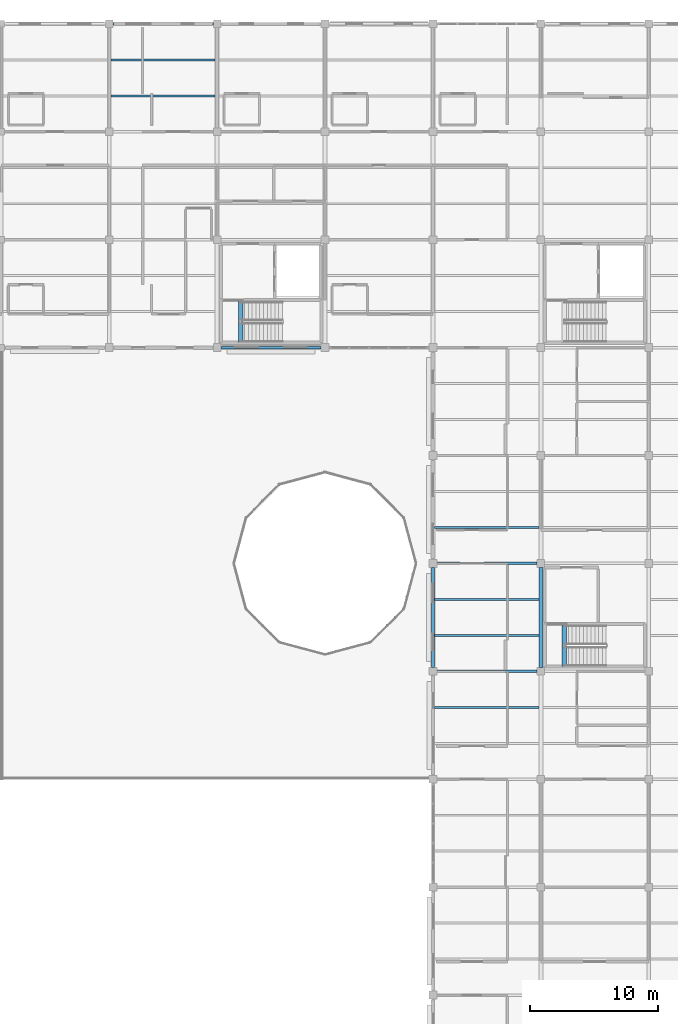
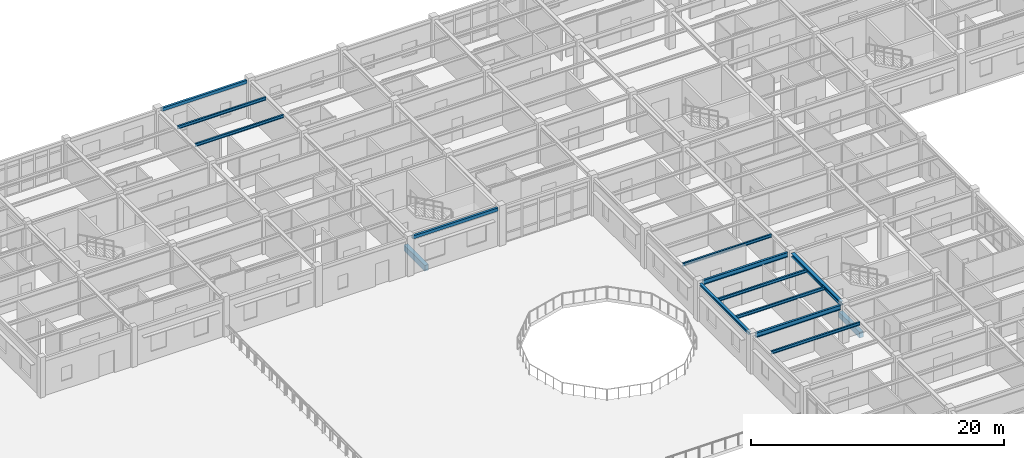
# One storey, part 16 of 86: 14 beams.
"""IFC4 building model written with IfcOpenShell, lengths in metres."""

from ifc_helpers import new_model, si_unit, direction, frame, origin, origin_2d, place, context, subcontext, project, spatial, rectangle, hollow_rectangle, i_section, extrude, material, material_profile, profile_set, type_object, element, save


model = new_model("IFC4")

# Units and contexts
model_context = context("Model", 3, precision=1e-05, world=origin(), true_north=direction((0.0, 1.0)))
body_context = subcontext(model_context, "Body", "Model", "MODEL_VIEW")
ifc_project = project(units=[si_unit("LENGTHUNIT", "METRE"), si_unit("AREAUNIT", "SQUARE_METRE"), si_unit("VOLUMEUNIT", "CUBIC_METRE"), si_unit("PLANEANGLEUNIT", "RADIAN"), si_unit("MASSUNIT", "GRAM", prefix="KILO")], contexts=[model_context])

# Site, building, storey
site_placement = place(None, origin())
site = spatial("IfcSite", under=ifc_project, at=site_placement, CompositionType="ELEMENT")
building_placement = place(site_placement, origin())
building = spatial("IfcBuilding", under=site, at=building_placement, Name="Bramfleet General Hospital", CompositionType="ELEMENT")
storey_placement = place(building_placement, frame((0.0, 0.0, 18.60009765625)))
storey = spatial("IfcBuildingStorey", under=building, at=storey_placement, Name="L04", CompositionType="ELEMENT", Elevation=18.60009765625)

# Beams
ifc_material_1 = material(Name="Steel S355", Category="steel")
ifc_material_profile_1 = material_profile(ifc_material_1, i_section(OverallWidth=0.239990234375, OverallDepth=0.22998046875, WebThickness=0.007568359375, FlangeThickness=0.011962890625, FilletRadius=0.02099609375, at=origin_2d()), Name="HEA 240")
ifc_profile_set_1 = profile_set([ifc_material_profile_1], Name="Steel S355")
beam_type_1 = type_object("IfcBeamType", Name="BM-HEA240", PredefinedType="SPANDREL", material=ifc_profile_set_1)
beam_1_placement = place(storey_placement, frame((92.39990234375, 67.5, 3.5048828125), z_axis=(0.0, 1.0, 0.0), x_axis=(-1.0, 0.0, 0.0)))
element("IfcBeam", 1, at=beam_1_placement, inside=storey, type_object=beam_type_1, Name="L04 Grid Beam Y 11-08", PredefinedType="SPANDREL", context=body_context, shape_type="SweptSolid", body=[
    extrude(i_section(OverallWidth=0.239990234375, OverallDepth=0.22998046875, WebThickness=0.007568359375, FlangeThickness=0.011962890625, FilletRadius=0.02099609375, at=origin_2d()), origin(), (0.0, 0.0, 1.0), 7.800048828125),
])
ifc_material_profile_2 = material_profile(ifc_material_1, i_section(OverallWidth=0.300048828125, OverallDepth=0.35009765625, WebThickness=0.010009765625, FlangeThickness=0.017578125, FilletRadius=0.027099609375, at=origin_2d()), Name="HEA 360")
ifc_profile_set_2 = profile_set([ifc_material_profile_2], Name="Steel S355")
beam_type_2 = type_object("IfcBeamType", Name="BM-HEA360", PredefinedType="BEAM", material=ifc_profile_set_2)
beam_2_placement = place(storey_placement, frame((100.800048828125, 67.5, 3.44482421875), z_axis=(0.0, 1.0, 0.0), x_axis=(-1.0, 0.0, 0.0)))
element("IfcBeam", 2, at=beam_2_placement, inside=storey, type_object=beam_type_2, Name="L04 Grid Beam Y 12-08", PredefinedType="BEAM", context=body_context, shape_type="SweptSolid", body=[
    extrude(i_section(OverallWidth=0.300048828125, OverallDepth=0.35009765625, WebThickness=0.010009765625, FlangeThickness=0.017578125, FilletRadius=0.027099609375, at=origin_2d()), origin(), (0.0, 0.0, 1.0), 7.800048828125),
])
ifc_material_profile_3 = material_profile(ifc_material_1, i_section(OverallWidth=0.14990234375, OverallDepth=0.300048828125, WebThickness=0.007080078125, FlangeThickness=0.0107421875, FilletRadius=0.014892578125, at=origin_2d()), Name="IPE 300")
ifc_profile_set_3 = profile_set([ifc_material_profile_3], Name="Steel S355")
beam_type_3 = type_object("IfcBeamType", Name="BM-IPE300", PredefinedType="JOIST", material=ifc_profile_set_3)
for number, where, z_axis, x_axis, name in (
    (3, (67.35009765625, 112.0, 3.469970703125), (1.0, 0.0, 0.0), (0.0, 1.0, 0.0), "L04 Secondary Joist 08-13-1"),
    (4, (67.35009765625, 114.800048828125, 3.469970703125), (1.0, 0.0, 0.0), (0.0, 1.0, 0.0), "L04 Secondary Joist 08-13-2"),
):
    element("IfcBeam", number, at=place(storey_placement, frame(where, z_axis=z_axis, x_axis=x_axis)), inside=storey, type_object=beam_type_3, Name=name, PredefinedType="JOIST", context=body_context, shape_type="SweptSolid", body=[
        extrude(i_section(OverallWidth=0.14990234375, OverallDepth=0.300048828125, WebThickness=0.007080078125, FlangeThickness=0.0107421875, FilletRadius=0.014892578125, at=origin_2d()), origin(), (0.0, 0.0, 1.0), 8.099853515625),
    ])
for number, where, z_axis, x_axis, name in (
    (5, (92.52001953125, 64.39990234375, 3.469970703125), (1.0, 0.0, 0.0), (0.0, 1.0, 0.0), "L04 Secondary Joist 11-07-2"),
    (6, (92.52001953125, 70.0, 3.469970703125), (1.0, 0.0, 0.0), (0.0, 1.0, 0.0), "L04 Secondary Joist 11-08-1"),
    (7, (92.52001953125, 72.800048828125, 3.469970703125), (1.0, 0.0, 0.0), (0.0, 1.0, 0.0), "L04 Secondary Joist 11-08-2"),
    (8, (92.52001953125, 78.39990234375, 3.469970703125), (1.0, 0.0, 0.0), (0.0, 1.0, 0.0), "L04 Secondary Joist 11-09-1"),
):
    element("IfcBeam", number, at=place(storey_placement, frame(where, z_axis=z_axis, x_axis=x_axis)), inside=storey, type_object=beam_type_3, Name=name, PredefinedType="JOIST", context=body_context, shape_type="SweptSolid", body=[
        extrude(i_section(OverallWidth=0.14990234375, OverallDepth=0.300048828125, WebThickness=0.007080078125, FlangeThickness=0.0107421875, FilletRadius=0.014892578125, at=origin_2d()), origin(), (0.0, 0.0, 1.0), 8.1298828125),
    ])
ifc_material_profile_4 = material_profile(ifc_material_1, i_section(OverallWidth=0.18994140625, OverallDepth=0.449951171875, WebThickness=0.009521484375, FlangeThickness=0.0146484375, FilletRadius=0.02099609375, at=origin_2d()), Name="IPE 450")
ifc_profile_set_4 = profile_set([ifc_material_profile_4], Name="Steel S355")
beam_type_4 = type_object("IfcBeamType", Name="BM-IPE450", PredefinedType="BEAM", material=ifc_profile_set_4)
for number, where, z_axis, x_axis, name in (
    (9, (92.699951171875, 67.199951171875, 3.39501953125), (1.0, 0.0, 0.0), (0.0, 1.0, 0.0), "L04 Grid Beam X 11-08"),
    (10, (92.699951171875, 75.60009765625, 3.39501953125), (1.0, 0.0, 0.0), (0.0, 1.0, 0.0), "L04 Grid Beam X 11-09"),
):
    element("IfcBeam", number, at=place(storey_placement, frame(where, z_axis=z_axis, x_axis=x_axis)), inside=storey, type_object=beam_type_4, Name=name, PredefinedType="BEAM", context=body_context, shape_type="SweptSolid", body=[
        extrude(i_section(OverallWidth=0.18994140625, OverallDepth=0.449951171875, WebThickness=0.009521484375, FlangeThickness=0.0146484375, FilletRadius=0.02099609375, at=origin_2d()), origin(), (0.0, 0.0, 1.0), 7.800048828125),
    ])
ifc_material_2 = material(Name="Concrete C35/45", Category="concrete")
ifc_material_profile_5 = material_profile(ifc_material_2, rectangle(XDim=0.35009765625, YDim=0.550048828125, at=origin_2d()), Name="RC BM 550x350")
ifc_profile_set_5 = profile_set([ifc_material_profile_5], Name="Concrete C35/45")
beam_type_5 = type_object("IfcBeamType", Name="BM-RC550", PredefinedType="BEAM", material=ifc_profile_set_5)
beam_3_placement = place(storey_placement, frame((77.43994140625, 92.780029296875, -0.275146484375), z_axis=(0.0, 1.0, 0.0), x_axis=(-1.0, 0.0, 0.0)))
element("IfcBeam", 11, at=beam_3_placement, inside=storey, type_object=beam_type_5, Name="L04 C5 Stairwell Trimmer Beam", PredefinedType="BEAM", context=body_context, shape_type="SweptSolid", body=[
    extrude(rectangle(XDim=0.35009765625, YDim=0.550048828125, at=origin_2d()), origin(), (0.0, 0.0, 1.0), 3.320068359375),
])
beam_4_placement = place(storey_placement, frame((102.639892578125, 67.580078125, -0.275146484375), z_axis=(0.0, 1.0, 0.0), x_axis=(-1.0, 0.0, 0.0)))
element("IfcBeam", 12, at=beam_4_placement, inside=storey, type_object=beam_type_5, Name="L04 C11 Stairwell Trimmer Beam", PredefinedType="BEAM", context=body_context, shape_type="SweptSolid", body=[
    extrude(rectangle(XDim=0.35009765625, YDim=0.550048828125, at=origin_2d()), origin(), (0.0, 0.0, 1.0), 3.31982421875),
])
ifc_material_profile_6 = material_profile(ifc_material_1, hollow_rectangle(XDim=0.199951171875, YDim=0.300048828125, WallThickness=0.012451171875, at=origin_2d()), Name="RHS 300x200x12.5")
ifc_profile_set_6 = profile_set([ifc_material_profile_6], Name="Steel S355")
beam_type_6 = type_object("IfcBeamType", Name="BM-RHS300", PredefinedType="SPANDREL", material=ifc_profile_set_6)
for number, where, z_axis, x_axis, name in (
    (13, (67.5, 117.60009765625, 3.469970703125), (1.0, 0.0, 0.0), (0.0, 1.0, 0.0), "L04 Grid Beam X 08-14"),
    (14, (75.89990234375, 92.39990234375, 3.469970703125), (1.0, 0.0, 0.0), (0.0, 1.0, 0.0), "L04 Grid Beam X 09-11"),
):
    element("IfcBeam", number, at=place(storey_placement, frame(where, z_axis=z_axis, x_axis=x_axis)), inside=storey, type_object=beam_type_6, Name=name, PredefinedType="SPANDREL", context=body_context, shape_type="SweptSolid", body=[
        extrude(hollow_rectangle(XDim=0.199951171875, YDim=0.300048828125, WallThickness=0.012451171875, at=origin_2d()), origin(), (0.0, 0.0, 1.0), 7.800048828125),
    ])

save(model, "model.ifc")
